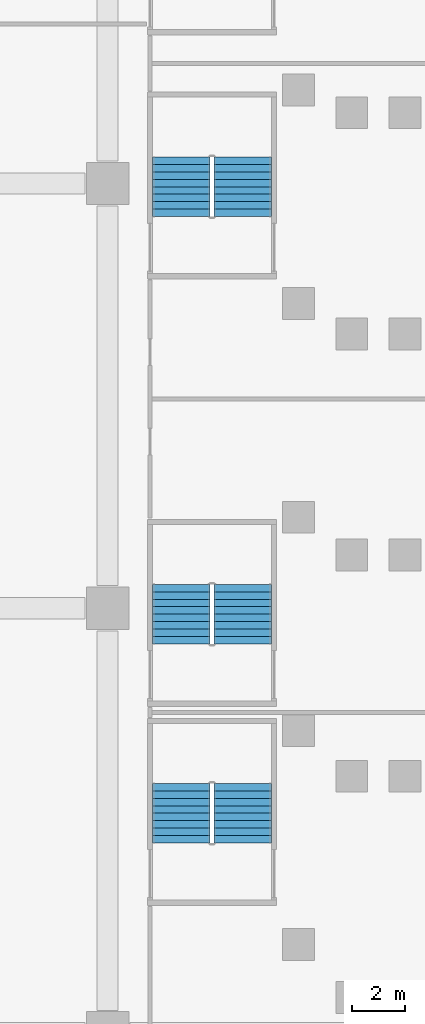
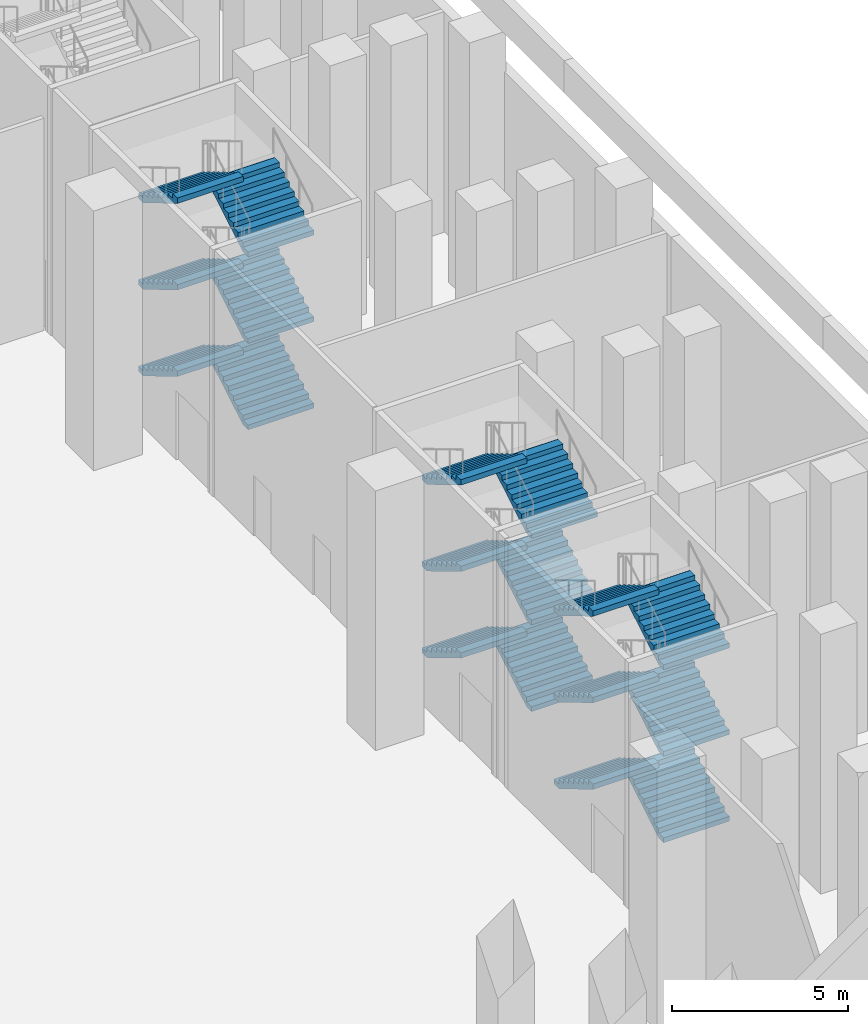
# One storey, part 15 of 25: 18 stair flights, 3 elements without a shape of their own.
"""IFC4 building model written with IfcOpenShell, lengths in metres."""

from ifc_helpers import new_model, si_unit, direction, frame, origin, place, context, subcontext, project, spatial, faceted_brep, source, transform, mapped, material, type_object, element, aggregate, save


model = new_model("IFC4")

# Units and contexts
model_context = context("Model", 3, precision=1e-05, world=origin(), true_north=direction((0.0, 1.0)))
body_context = subcontext(model_context, "Body", "Model", "MODEL_VIEW")
ifc_project = project(units=[si_unit("LENGTHUNIT", "METRE"), si_unit("AREAUNIT", "SQUARE_METRE"), si_unit("VOLUMEUNIT", "CUBIC_METRE"), si_unit("PLANEANGLEUNIT", "RADIAN"), si_unit("MASSUNIT", "GRAM", prefix="KILO")], contexts=[model_context])

# Site, building, storey
site_placement = place(None, origin())
site = spatial("IfcSite", under=ifc_project, at=site_placement, CompositionType="ELEMENT")
building_placement = place(site_placement, origin())
building = spatial("IfcBuilding", under=site, at=building_placement, Name="Calabash Gate Tower", CompositionType="ELEMENT")
storey_placement = place(building_placement, frame((0.0, 0.0, 20.0)))
storey = spatial("IfcBuildingStorey", under=building, at=storey_placement, Name="L02", CompositionType="ELEMENT", Elevation=20.0)

# Stair, stair flights
ifc_material_1 = material(Name="Concrete C40/50", Category="concrete")
stair_type = type_object("IfcStairType", Name="Public stair 54 risers of 166.7 mm", PredefinedType="HALF_TURN_STAIR", material=ifc_material_1)
stair_1_placement = place(storey_placement, origin())
stair_1 = element("IfcStair", 1, at=stair_1_placement, inside=storey, type_object=stair_type, Name="L02 Public Stair PS6", PredefinedType="HALF_TURN_STAIR")
ifc_material_2 = material(Name="Concrete C40/50", Category="concrete")
stair_flight_type = type_object("IfcStairFlightType", Name="Exit stair flight SFL", PredefinedType="STRAIGHT", material=ifc_material_2)
shared_shape = source(origin(), body_context, "Body", "Brep", [
    faceted_brep([(-0.0009765625, -1.080078125, 0.0), (0.292236328125, -1.080078125, 0.0), (2.23291015625, -1.080078125, 1.15869140625), (-0.0009765625, 1.080078125, 0.0), (2.23291015625, 1.080078125, 1.15869140625), (0.292236328125, 1.080078125, 0.0), (2.23291015625, -1.080078125, 1.34521484375), (2.23193359375, -1.080078125, 1.34521484375), (2.23193359375, 1.080078125, 1.34521484375), (2.23291015625, 1.080078125, 1.34521484375), (2.23193359375, -1.080078125, 1.333251953125), (2.23193359375, 1.080078125, 1.333251953125), (1.952880859375, -1.080078125, 1.333251953125), (1.952880859375, 1.080078125, 1.333251953125), (1.952880859375, -1.080078125, 1.166748046875), (1.952880859375, 1.080078125, 1.166748046875), (1.674072265625, -1.080078125, 1.166748046875), (1.674072265625, 1.080078125, 1.166748046875), (1.674072265625, -1.080078125, 1.0), (1.674072265625, 1.080078125, 1.0), (1.39501953125, -1.080078125, 1.0), (1.39501953125, -1.080078125, 0.833251953125), (1.39501953125, 1.080078125, 0.833251953125), (1.39501953125, 1.080078125, 1.0), (1.115966796875, -1.080078125, 0.833251953125), (1.115966796875, -1.080078125, 0.666748046875), (1.115966796875, 1.080078125, 0.666748046875), (1.115966796875, 1.080078125, 0.833251953125), (0.8369140625, -1.080078125, 0.666748046875), (0.8369140625, -1.080078125, 0.5), (0.8369140625, 1.080078125, 0.5), (0.8369140625, 1.080078125, 0.666748046875), (0.55810546875, -1.080078125, 0.5), (0.55810546875, -1.080078125, 0.333251953125), (0.55810546875, 1.080078125, 0.333251953125), (0.55810546875, 1.080078125, 0.5), (0.279052734375, -1.080078125, 0.333251953125), (0.279052734375, -1.080078125, 0.166748046875), (0.279052734375, 1.080078125, 0.166748046875), (0.279052734375, 1.080078125, 0.333251953125), (-0.0009765625, -1.080078125, 0.166748046875), (-0.0009765625, 1.080078125, 0.166748046875), (0.292236328125, -0.431884765625, 0.0), (2.23291015625, -0.431884765625, 1.15869140625), (0.292236328125, -0.345703125, 0.0), (2.23291015625, -0.345703125, 1.15869140625), (0.292236328125, -0.25927734375, 0.0), (2.23291015625, -0.25927734375, 1.15869140625), (0.292236328125, -0.1728515625, 0.0), (2.23291015625, -0.1728515625, 1.15869140625), (0.292236328125, -0.08642578125, 0.0), (2.23291015625, -0.08642578125, 1.15869140625), (0.292236328125, 0.0, 0.0), (2.23291015625, 0.0, 1.15869140625), (0.292236328125, 0.08642578125, 0.0), (2.23291015625, 0.08642578125, 1.15869140625), (0.292236328125, 0.1728515625, 0.0), (2.23291015625, 0.1728515625, 1.15869140625), (0.292236328125, 0.25927734375, 0.0), (2.23291015625, 0.25927734375, 1.15869140625), (0.292236328125, 0.345703125, 0.0), (2.23291015625, 0.345703125, 1.15869140625), (0.292236328125, 0.431884765625, 0.0), (2.23291015625, 0.431884765625, 1.15869140625), (2.23291015625, -0.431884765625, 1.34521484375), (2.23291015625, -0.345703125, 1.34521484375), (2.23291015625, -0.25927734375, 1.34521484375), (2.23291015625, -0.1728515625, 1.34521484375), (2.23291015625, -0.08642578125, 1.34521484375), (2.23291015625, 0.0, 1.34521484375), (2.23291015625, 0.08642578125, 1.34521484375), (2.23291015625, 0.1728515625, 1.34521484375), (2.23291015625, 0.25927734375, 1.34521484375), (2.23291015625, 0.345703125, 1.34521484375), (2.23291015625, 0.431884765625, 1.34521484375), (2.23193359375, -0.431884765625, 1.34521484375), (2.23193359375, -0.345703125, 1.34521484375), (2.23193359375, -0.25927734375, 1.34521484375), (2.23193359375, -0.1728515625, 1.34521484375), (2.23193359375, -0.08642578125, 1.34521484375), (2.23193359375, 0.0, 1.34521484375), (2.23193359375, 0.08642578125, 1.34521484375), (2.23193359375, 0.1728515625, 1.34521484375), (2.23193359375, 0.25927734375, 1.34521484375), (2.23193359375, 0.345703125, 1.34521484375), (2.23193359375, 0.431884765625, 1.34521484375), (2.23193359375, -0.431884765625, 1.333251953125), (2.23193359375, -0.345703125, 1.333251953125), (2.23193359375, -0.25927734375, 1.333251953125), (2.23193359375, -0.1728515625, 1.333251953125), (2.23193359375, -0.08642578125, 1.333251953125), (2.23193359375, 0.0, 1.333251953125), (2.23193359375, 0.08642578125, 1.333251953125), (2.23193359375, 0.1728515625, 1.333251953125), (2.23193359375, 0.25927734375, 1.333251953125), (2.23193359375, 0.345703125, 1.333251953125), (2.23193359375, 0.431884765625, 1.333251953125), (1.952880859375, -0.431884765625, 1.333251953125), (1.952880859375, -0.345703125, 1.333251953125), (1.952880859375, -0.25927734375, 1.333251953125), (1.952880859375, -0.1728515625, 1.333251953125), (1.952880859375, -0.08642578125, 1.333251953125), (1.952880859375, 0.0, 1.333251953125), (1.952880859375, 0.08642578125, 1.333251953125), (1.952880859375, 0.1728515625, 1.333251953125), (1.952880859375, 0.25927734375, 1.333251953125), (1.952880859375, 0.345703125, 1.333251953125), (1.952880859375, 0.431884765625, 1.333251953125), (1.952880859375, -0.431884765625, 1.166748046875), (1.952880859375, -0.345703125, 1.166748046875), (1.952880859375, -0.25927734375, 1.166748046875), (1.952880859375, -0.1728515625, 1.166748046875), (1.952880859375, -0.08642578125, 1.166748046875), (1.952880859375, 0.0, 1.166748046875), (1.952880859375, 0.08642578125, 1.166748046875), (1.952880859375, 0.1728515625, 1.166748046875), (1.952880859375, 0.25927734375, 1.166748046875), (1.952880859375, 0.345703125, 1.166748046875), (1.952880859375, 0.431884765625, 1.166748046875), (1.674072265625, -0.431884765625, 1.166748046875), (1.674072265625, -0.345703125, 1.166748046875), (1.674072265625, -0.25927734375, 1.166748046875), (1.674072265625, -0.1728515625, 1.166748046875), (1.674072265625, -0.08642578125, 1.166748046875), (1.674072265625, 0.0, 1.166748046875), (1.674072265625, 0.08642578125, 1.166748046875), (1.674072265625, 0.1728515625, 1.166748046875), (1.674072265625, 0.25927734375, 1.166748046875), (1.674072265625, 0.345703125, 1.166748046875), (1.674072265625, 0.431884765625, 1.166748046875), (1.674072265625, -0.431884765625, 1.0), (1.674072265625, -0.345703125, 1.0), (1.674072265625, -0.25927734375, 1.0), (1.674072265625, -0.1728515625, 1.0), (1.674072265625, -0.08642578125, 1.0), (1.674072265625, 0.0, 1.0), (1.674072265625, 0.08642578125, 1.0), (1.674072265625, 0.1728515625, 1.0), (1.674072265625, 0.25927734375, 1.0), (1.674072265625, 0.345703125, 1.0), (1.674072265625, 0.431884765625, 1.0), (1.39501953125, -0.431884765625, 1.0), (1.39501953125, -0.345703125, 1.0), (1.39501953125, -0.25927734375, 1.0), (1.39501953125, -0.1728515625, 1.0), (1.39501953125, -0.08642578125, 1.0), (1.39501953125, 0.0, 1.0), (1.39501953125, 0.08642578125, 1.0), (1.39501953125, 0.1728515625, 1.0), (1.39501953125, 0.25927734375, 1.0), (1.39501953125, 0.345703125, 1.0), (1.39501953125, 0.431884765625, 1.0), (1.39501953125, -0.431884765625, 0.833251953125), (1.39501953125, -0.345703125, 0.833251953125), (1.39501953125, -0.25927734375, 0.833251953125), (1.39501953125, -0.1728515625, 0.833251953125), (1.39501953125, -0.08642578125, 0.833251953125), (1.39501953125, 0.0, 0.833251953125), (1.39501953125, 0.08642578125, 0.833251953125), (1.39501953125, 0.1728515625, 0.833251953125), (1.39501953125, 0.25927734375, 0.833251953125), (1.39501953125, 0.345703125, 0.833251953125), (1.39501953125, 0.431884765625, 0.833251953125), (1.115966796875, -0.431884765625, 0.833251953125), (1.115966796875, -0.345703125, 0.833251953125), (1.115966796875, -0.25927734375, 0.833251953125), (1.115966796875, -0.1728515625, 0.833251953125), (1.115966796875, -0.08642578125, 0.833251953125), (1.115966796875, 0.0, 0.833251953125), (1.115966796875, 0.08642578125, 0.833251953125), (1.115966796875, 0.1728515625, 0.833251953125), (1.115966796875, 0.25927734375, 0.833251953125), (1.115966796875, 0.345703125, 0.833251953125), (1.115966796875, 0.431884765625, 0.833251953125), (1.115966796875, -0.431884765625, 0.666748046875), (1.115966796875, -0.345703125, 0.666748046875), (1.115966796875, -0.25927734375, 0.666748046875), (1.115966796875, -0.1728515625, 0.666748046875), (1.115966796875, -0.08642578125, 0.666748046875), (1.115966796875, 0.0, 0.666748046875), (1.115966796875, 0.08642578125, 0.666748046875), (1.115966796875, 0.1728515625, 0.666748046875), (1.115966796875, 0.25927734375, 0.666748046875), (1.115966796875, 0.345703125, 0.666748046875), (1.115966796875, 0.431884765625, 0.666748046875), (0.8369140625, -0.431884765625, 0.666748046875), (0.8369140625, -0.345703125, 0.666748046875), (0.8369140625, -0.25927734375, 0.666748046875), (0.8369140625, -0.1728515625, 0.666748046875), (0.8369140625, -0.08642578125, 0.666748046875), (0.8369140625, 0.0, 0.666748046875), (0.8369140625, 0.08642578125, 0.666748046875), (0.8369140625, 0.1728515625, 0.666748046875), (0.8369140625, 0.25927734375, 0.666748046875), (0.8369140625, 0.345703125, 0.666748046875), (0.8369140625, 0.431884765625, 0.666748046875), (0.8369140625, -0.431884765625, 0.5), (0.8369140625, -0.345703125, 0.5), (0.8369140625, -0.25927734375, 0.5), (0.8369140625, -0.1728515625, 0.5), (0.8369140625, -0.08642578125, 0.5), (0.8369140625, 0.0, 0.5), (0.8369140625, 0.08642578125, 0.5), (0.8369140625, 0.1728515625, 0.5), (0.8369140625, 0.25927734375, 0.5), (0.8369140625, 0.345703125, 0.5), (0.8369140625, 0.431884765625, 0.5), (0.55810546875, -0.431884765625, 0.5), (0.55810546875, -0.345703125, 0.5), (0.55810546875, -0.25927734375, 0.5), (0.55810546875, -0.1728515625, 0.5), (0.55810546875, -0.08642578125, 0.5), (0.55810546875, 0.0, 0.5), (0.55810546875, 0.08642578125, 0.5), (0.55810546875, 0.1728515625, 0.5), (0.55810546875, 0.25927734375, 0.5), (0.55810546875, 0.345703125, 0.5), (0.55810546875, 0.431884765625, 0.5), (0.55810546875, -0.431884765625, 0.333251953125), (0.55810546875, -0.345703125, 0.333251953125), (0.55810546875, -0.25927734375, 0.333251953125), (0.55810546875, -0.1728515625, 0.333251953125), (0.55810546875, -0.08642578125, 0.333251953125), (0.55810546875, 0.0, 0.333251953125), (0.55810546875, 0.08642578125, 0.333251953125), (0.55810546875, 0.1728515625, 0.333251953125), (0.55810546875, 0.25927734375, 0.333251953125), (0.55810546875, 0.345703125, 0.333251953125), (0.55810546875, 0.431884765625, 0.333251953125), (0.279052734375, -0.431884765625, 0.333251953125), (0.279052734375, -0.345703125, 0.333251953125), (0.279052734375, -0.25927734375, 0.333251953125), (0.279052734375, -0.1728515625, 0.333251953125), (0.279052734375, -0.08642578125, 0.333251953125), (0.279052734375, 0.0, 0.333251953125), (0.279052734375, 0.08642578125, 0.333251953125), (0.279052734375, 0.1728515625, 0.333251953125), (0.279052734375, 0.25927734375, 0.333251953125), (0.279052734375, 0.345703125, 0.333251953125), (0.279052734375, 0.431884765625, 0.333251953125), (0.279052734375, -0.431884765625, 0.166748046875), (0.279052734375, -0.345703125, 0.166748046875), (0.279052734375, -0.25927734375, 0.166748046875), (0.279052734375, -0.1728515625, 0.166748046875), (0.279052734375, -0.08642578125, 0.166748046875), (0.279052734375, 0.0, 0.166748046875), (0.279052734375, 0.08642578125, 0.166748046875), (0.279052734375, 0.1728515625, 0.166748046875), (0.279052734375, 0.25927734375, 0.166748046875), (0.279052734375, 0.345703125, 0.166748046875), (0.279052734375, 0.431884765625, 0.166748046875), (-0.0009765625, -0.431884765625, 0.166748046875), (-0.0009765625, -0.345703125, 0.166748046875), (-0.0009765625, -0.25927734375, 0.166748046875), (-0.0009765625, -0.1728515625, 0.166748046875), (-0.0009765625, -0.08642578125, 0.166748046875), (-0.0009765625, 0.0, 0.166748046875), (-0.0009765625, 0.08642578125, 0.166748046875), (-0.0009765625, 0.1728515625, 0.166748046875), (-0.0009765625, 0.25927734375, 0.166748046875), (-0.0009765625, 0.345703125, 0.166748046875), (-0.0009765625, 0.431884765625, 0.166748046875), (-0.0009765625, -0.431884765625, 0.0), (-0.0009765625, -0.345703125, 0.0), (-0.0009765625, -0.25927734375, 0.0), (-0.0009765625, -0.1728515625, 0.0), (-0.0009765625, -0.08642578125, 0.0), (-0.0009765625, 0.0, 0.0), (-0.0009765625, 0.08642578125, 0.0), (-0.0009765625, 0.1728515625, 0.0), (-0.0009765625, 0.25927734375, 0.0), (-0.0009765625, 0.345703125, 0.0), (-0.0009765625, 0.431884765625, 0.0)], [[[0, 1, 2]], [[3, 4, 5]], [[2, 6, 7]], [[4, 8, 9]], [[2, 7, 10]], [[4, 11, 8]], [[2, 10, 12]], [[4, 13, 11]], [[2, 12, 14]], [[4, 15, 13]], [[2, 14, 16]], [[4, 17, 15]], [[2, 16, 18]], [[4, 19, 17]], [[18, 20, 21]], [[19, 22, 23]], [[2, 18, 21]], [[4, 22, 19]], [[21, 24, 25]], [[22, 26, 27]], [[2, 21, 25]], [[4, 26, 22]], [[25, 28, 29]], [[26, 30, 31]], [[2, 25, 29]], [[4, 30, 26]], [[29, 32, 33]], [[30, 34, 35]], [[2, 29, 33]], [[4, 34, 30]], [[33, 36, 37]], [[34, 38, 39]], [[2, 33, 37]], [[4, 38, 34]], [[0, 2, 37]], [[3, 38, 4]], [[37, 40, 0]], [[38, 3, 41]], [[1, 42, 2]], [[42, 43, 2]], [[42, 44, 43]], [[44, 45, 43]], [[44, 46, 45]], [[46, 47, 45]], [[46, 48, 47]], [[48, 49, 47]], [[48, 50, 49]], [[50, 51, 49]], [[50, 52, 51]], [[52, 53, 51]], [[52, 54, 55]], [[52, 55, 53]], [[54, 56, 57]], [[54, 57, 55]], [[56, 58, 59]], [[56, 59, 57]], [[58, 60, 61]], [[58, 61, 59]], [[60, 62, 63]], [[60, 63, 61]], [[62, 5, 4]], [[62, 4, 63]], [[2, 43, 6]], [[43, 64, 6]], [[43, 45, 64]], [[45, 65, 64]], [[45, 47, 65]], [[47, 66, 65]], [[47, 49, 66]], [[49, 67, 66]], [[49, 51, 67]], [[51, 68, 67]], [[51, 53, 68]], [[53, 69, 68]], [[53, 55, 70]], [[53, 70, 69]], [[55, 57, 71]], [[55, 71, 70]], [[57, 59, 72]], [[57, 72, 71]], [[59, 61, 73]], [[59, 73, 72]], [[61, 63, 74]], [[61, 74, 73]], [[63, 4, 9]], [[63, 9, 74]], [[6, 64, 7]], [[64, 75, 7]], [[64, 65, 75]], [[65, 76, 75]], [[65, 66, 76]], [[66, 77, 76]], [[66, 67, 77]], [[67, 78, 77]], [[67, 68, 78]], [[68, 79, 78]], [[68, 69, 79]], [[69, 80, 79]], [[69, 70, 81]], [[69, 81, 80]], [[70, 71, 82]], [[70, 82, 81]], [[71, 72, 83]], [[71, 83, 82]], [[72, 73, 84]], [[72, 84, 83]], [[73, 74, 85]], [[73, 85, 84]], [[74, 9, 8]], [[74, 8, 85]], [[7, 75, 10]], [[75, 86, 10]], [[75, 76, 86]], [[76, 87, 86]], [[76, 77, 87]], [[77, 88, 87]], [[77, 78, 88]], [[78, 89, 88]], [[78, 79, 89]], [[79, 90, 89]], [[79, 80, 90]], [[80, 91, 90]], [[80, 81, 92]], [[80, 92, 91]], [[81, 82, 93]], [[81, 93, 92]], [[82, 83, 94]], [[82, 94, 93]], [[83, 84, 95]], [[83, 95, 94]], [[84, 85, 96]], [[84, 96, 95]], [[85, 8, 11]], [[85, 11, 96]], [[10, 86, 12]], [[86, 97, 12]], [[86, 87, 97]], [[87, 98, 97]], [[87, 88, 98]], [[88, 99, 98]], [[88, 89, 99]], [[89, 100, 99]], [[89, 90, 100]], [[90, 101, 100]], [[90, 91, 101]], [[91, 102, 101]], [[91, 92, 103]], [[91, 103, 102]], [[92, 93, 104]], [[92, 104, 103]], [[93, 94, 105]], [[93, 105, 104]], [[94, 95, 106]], [[94, 106, 105]], [[95, 96, 107]], [[95, 107, 106]], [[96, 11, 13]], [[96, 13, 107]], [[12, 97, 14]], [[97, 108, 14]], [[97, 98, 108]], [[98, 109, 108]], [[98, 99, 109]], [[99, 110, 109]], [[99, 100, 110]], [[100, 111, 110]], [[100, 101, 111]], [[101, 112, 111]], [[101, 102, 112]], [[102, 113, 112]], [[102, 103, 114]], [[102, 114, 113]], [[103, 104, 115]], [[103, 115, 114]], [[104, 105, 116]], [[104, 116, 115]], [[105, 106, 117]], [[105, 117, 116]], [[106, 107, 118]], [[106, 118, 117]], [[107, 13, 15]], [[107, 15, 118]], [[14, 108, 16]], [[108, 119, 16]], [[108, 109, 119]], [[109, 120, 119]], [[109, 110, 120]], [[110, 121, 120]], [[110, 111, 121]], [[111, 122, 121]], [[111, 112, 122]], [[112, 123, 122]], [[112, 113, 123]], [[113, 124, 123]], [[113, 114, 125]], [[113, 125, 124]], [[114, 115, 126]], [[114, 126, 125]], [[115, 116, 127]], [[115, 127, 126]], [[116, 117, 128]], [[116, 128, 127]], [[117, 118, 129]], [[117, 129, 128]], [[118, 15, 17]], [[118, 17, 129]], [[16, 119, 18]], [[119, 130, 18]], [[119, 120, 130]], [[120, 131, 130]], [[120, 121, 131]], [[121, 132, 131]], [[121, 122, 132]], [[122, 133, 132]], [[122, 123, 133]], [[123, 134, 133]], [[123, 124, 134]], [[124, 135, 134]], [[124, 125, 136]], [[124, 136, 135]], [[125, 126, 137]], [[125, 137, 136]], [[126, 127, 138]], [[126, 138, 137]], [[127, 128, 139]], [[127, 139, 138]], [[128, 129, 140]], [[128, 140, 139]], [[129, 17, 19]], [[129, 19, 140]], [[18, 130, 20]], [[130, 141, 20]], [[130, 131, 141]], [[131, 142, 141]], [[131, 132, 142]], [[132, 143, 142]], [[132, 133, 143]], [[133, 144, 143]], [[133, 134, 144]], [[134, 145, 144]], [[134, 135, 145]], [[135, 146, 145]], [[135, 136, 147]], [[135, 147, 146]], [[136, 137, 148]], [[136, 148, 147]], [[137, 138, 149]], [[137, 149, 148]], [[138, 139, 150]], [[138, 150, 149]], [[139, 140, 151]], [[139, 151, 150]], [[140, 19, 23]], [[140, 23, 151]], [[20, 141, 21]], [[141, 152, 21]], [[141, 142, 152]], [[142, 153, 152]], [[142, 143, 153]], [[143, 154, 153]], [[143, 144, 154]], [[144, 155, 154]], [[144, 145, 155]], [[145, 156, 155]], [[145, 146, 156]], [[146, 157, 156]], [[146, 147, 158]], [[146, 158, 157]], [[147, 148, 159]], [[147, 159, 158]], [[148, 149, 160]], [[148, 160, 159]], [[149, 150, 161]], [[149, 161, 160]], [[150, 151, 162]], [[150, 162, 161]], [[151, 23, 22]], [[151, 22, 162]], [[21, 152, 24]], [[152, 163, 24]], [[152, 153, 163]], [[153, 164, 163]], [[153, 154, 164]], [[154, 165, 164]], [[154, 155, 165]], [[155, 166, 165]], [[155, 156, 166]], [[156, 167, 166]], [[156, 157, 167]], [[157, 168, 167]], [[157, 158, 169]], [[157, 169, 168]], [[158, 159, 170]], [[158, 170, 169]], [[159, 160, 171]], [[159, 171, 170]], [[160, 161, 172]], [[160, 172, 171]], [[161, 162, 173]], [[161, 173, 172]], [[162, 22, 27]], [[162, 27, 173]], [[24, 163, 25]], [[163, 174, 25]], [[163, 164, 174]], [[164, 175, 174]], [[164, 165, 175]], [[165, 176, 175]], [[165, 166, 176]], [[166, 177, 176]], [[166, 167, 177]], [[167, 178, 177]], [[167, 168, 178]], [[168, 179, 178]], [[168, 169, 180]], [[168, 180, 179]], [[169, 170, 181]], [[169, 181, 180]], [[170, 171, 182]], [[170, 182, 181]], [[171, 172, 183]], [[171, 183, 182]], [[172, 173, 184]], [[172, 184, 183]], [[173, 27, 26]], [[173, 26, 184]], [[25, 174, 28]], [[174, 185, 28]], [[174, 175, 185]], [[175, 186, 185]], [[175, 176, 186]], [[176, 187, 186]], [[176, 177, 187]], [[177, 188, 187]], [[177, 178, 188]], [[178, 189, 188]], [[178, 179, 189]], [[179, 190, 189]], [[179, 180, 191]], [[179, 191, 190]], [[180, 181, 192]], [[180, 192, 191]], [[181, 182, 193]], [[181, 193, 192]], [[182, 183, 194]], [[182, 194, 193]], [[183, 184, 195]], [[183, 195, 194]], [[184, 26, 31]], [[184, 31, 195]], [[28, 185, 29]], [[185, 196, 29]], [[185, 186, 196]], [[186, 197, 196]], [[186, 187, 197]], [[187, 198, 197]], [[187, 188, 198]], [[188, 199, 198]], [[188, 189, 199]], [[189, 200, 199]], [[189, 190, 200]], [[190, 201, 200]], [[190, 191, 202]], [[190, 202, 201]], [[191, 192, 203]], [[191, 203, 202]], [[192, 193, 204]], [[192, 204, 203]], [[193, 194, 205]], [[193, 205, 204]], [[194, 195, 206]], [[194, 206, 205]], [[195, 31, 30]], [[195, 30, 206]], [[29, 196, 32]], [[196, 207, 32]], [[196, 197, 207]], [[197, 208, 207]], [[197, 198, 208]], [[198, 209, 208]], [[198, 199, 209]], [[199, 210, 209]], [[199, 200, 210]], [[200, 211, 210]], [[200, 201, 211]], [[201, 212, 211]], [[201, 202, 213]], [[201, 213, 212]], [[202, 203, 214]], [[202, 214, 213]], [[203, 204, 215]], [[203, 215, 214]], [[204, 205, 216]], [[204, 216, 215]], [[205, 206, 217]], [[205, 217, 216]], [[206, 30, 35]], [[206, 35, 217]], [[32, 207, 33]], [[207, 218, 33]], [[207, 208, 218]], [[208, 219, 218]], [[208, 209, 219]], [[209, 220, 219]], [[209, 210, 220]], [[210, 221, 220]], [[210, 211, 221]], [[211, 222, 221]], [[211, 212, 222]], [[212, 223, 222]], [[212, 213, 224]], [[212, 224, 223]], [[213, 214, 225]], [[213, 225, 224]], [[214, 215, 226]], [[214, 226, 225]], [[215, 216, 227]], [[215, 227, 226]], [[216, 217, 228]], [[216, 228, 227]], [[217, 35, 34]], [[217, 34, 228]], [[33, 218, 36]], [[218, 229, 36]], [[218, 219, 229]], [[219, 230, 229]], [[219, 220, 230]], [[220, 231, 230]], [[220, 221, 231]], [[221, 232, 231]], [[221, 222, 232]], [[222, 233, 232]], [[222, 223, 233]], [[223, 234, 233]], [[223, 224, 235]], [[223, 235, 234]], [[224, 225, 236]], [[224, 236, 235]], [[225, 226, 237]], [[225, 237, 236]], [[226, 227, 238]], [[226, 238, 237]], [[227, 228, 239]], [[227, 239, 238]], [[228, 34, 39]], [[228, 39, 239]], [[36, 229, 37]], [[229, 240, 37]], [[229, 230, 240]], [[230, 241, 240]], [[230, 231, 241]], [[231, 242, 241]], [[231, 232, 242]], [[232, 243, 242]], [[232, 233, 243]], [[233, 244, 243]], [[233, 234, 244]], [[234, 245, 244]], [[234, 235, 246]], [[234, 246, 245]], [[235, 236, 247]], [[235, 247, 246]], [[236, 237, 248]], [[236, 248, 247]], [[237, 238, 249]], [[237, 249, 248]], [[238, 239, 250]], [[238, 250, 249]], [[239, 39, 38]], [[239, 38, 250]], [[37, 240, 40]], [[240, 251, 40]], [[240, 241, 251]], [[241, 252, 251]], [[241, 242, 252]], [[242, 253, 252]], [[242, 243, 253]], [[243, 254, 253]], [[243, 244, 254]], [[244, 255, 254]], [[244, 245, 255]], [[245, 256, 255]], [[245, 246, 257]], [[245, 257, 256]], [[246, 247, 258]], [[246, 258, 257]], [[247, 248, 259]], [[247, 259, 258]], [[248, 249, 260]], [[248, 260, 259]], [[249, 250, 261]], [[249, 261, 260]], [[250, 38, 41]], [[250, 41, 261]], [[40, 251, 0]], [[251, 262, 0]], [[251, 252, 262]], [[252, 263, 262]], [[252, 253, 263]], [[253, 264, 263]], [[253, 254, 264]], [[254, 265, 264]], [[254, 255, 265]], [[255, 266, 265]], [[255, 256, 266]], [[256, 267, 266]], [[256, 257, 268]], [[256, 268, 267]], [[257, 258, 269]], [[257, 269, 268]], [[258, 259, 270]], [[258, 270, 269]], [[259, 260, 271]], [[259, 271, 270]], [[260, 261, 272]], [[260, 272, 271]], [[261, 41, 3]], [[261, 3, 272]], [[0, 262, 1]], [[262, 42, 1]], [[262, 263, 42]], [[263, 44, 42]], [[263, 264, 44]], [[264, 46, 44]], [[264, 265, 46]], [[265, 48, 46]], [[265, 266, 48]], [[266, 50, 48]], [[266, 267, 50]], [[267, 52, 50]], [[267, 268, 54]], [[267, 54, 52]], [[268, 269, 56]], [[268, 56, 54]], [[269, 270, 58]], [[269, 58, 56]], [[270, 271, 60]], [[270, 60, 58]], [[271, 272, 62]], [[271, 62, 60]], [[272, 3, 5]], [[272, 5, 62]]]),
])
stair_flight_1_placement = place(storey_placement, frame((37.090087890625, -32.840087890625, 0.0), z_axis=(0.0, 0.0, 1.0), x_axis=(0.0, 1.0, 0.0)))
stair_flight_1 = element("IfcStairFlight", 2, at=stair_flight_1_placement, type_object=stair_flight_type, Name="PS6 flight 1", NumberOfRisers=9, NumberOfTreads=8, PredefinedType="STRAIGHT", RiserHeight=0.166666667, TreadLength=0.279, context=body_context, shape_type="MappedRepresentation", body=[
    mapped(shared_shape, transform((0.0, 0.0, 0.0), scale=1.0)),
])
stair_flight_2_placement = place(storey_placement, frame((34.780029296875, -30.60791015625, 1.5), z_axis=(0.0, 0.0, 1.0), x_axis=(0.0, -1.0, 0.0)))
stair_flight_2 = element("IfcStairFlight", 3, at=stair_flight_2_placement, type_object=stair_flight_type, Name="PS6 flight 2", NumberOfRisers=9, NumberOfTreads=8, PredefinedType="STRAIGHT", RiserHeight=0.166666667, TreadLength=0.279, context=body_context, shape_type="MappedRepresentation", body=[
    mapped(shared_shape, transform((0.0, 0.0, 0.0), scale=1.0)),
])
stair_flight_3_placement = place(storey_placement, frame((37.090087890625, -32.840087890625, 3.0), z_axis=(0.0, 0.0, 1.0), x_axis=(0.0, 1.0, 0.0)))
stair_flight_3 = element("IfcStairFlight", 4, at=stair_flight_3_placement, type_object=stair_flight_type, Name="PS6 flight 3", NumberOfRisers=9, NumberOfTreads=8, PredefinedType="STRAIGHT", RiserHeight=0.166666667, TreadLength=0.279, context=body_context, shape_type="MappedRepresentation", body=[
    mapped(shared_shape, transform((0.0, 0.0, 0.0), scale=1.0)),
])
stair_flight_4_placement = place(storey_placement, frame((34.780029296875, -30.60791015625, 4.5), z_axis=(0.0, 0.0, 1.0), x_axis=(0.0, -1.0, 0.0)))
stair_flight_4 = element("IfcStairFlight", 5, at=stair_flight_4_placement, type_object=stair_flight_type, Name="PS6 flight 4", NumberOfRisers=9, NumberOfTreads=8, PredefinedType="STRAIGHT", RiserHeight=0.166666667, TreadLength=0.279, context=body_context, shape_type="MappedRepresentation", body=[
    mapped(shared_shape, transform((0.0, 0.0, 0.0), scale=1.0)),
])
stair_flight_5_placement = place(storey_placement, frame((37.090087890625, -32.840087890625, 6.0), z_axis=(0.0, 0.0, 1.0), x_axis=(0.0, 1.0, 0.0)))
stair_flight_5 = element("IfcStairFlight", 6, at=stair_flight_5_placement, type_object=stair_flight_type, Name="PS6 flight 5", NumberOfRisers=9, NumberOfTreads=8, PredefinedType="STRAIGHT", RiserHeight=0.166666667, TreadLength=0.279, context=body_context, shape_type="MappedRepresentation", body=[
    mapped(shared_shape, transform((0.0, 0.0, 0.0), scale=1.0)),
])
stair_flight_6_placement = place(storey_placement, frame((34.780029296875, -30.60791015625, 7.5), z_axis=(0.0, 0.0, 1.0), x_axis=(0.0, -1.0, 0.0)))
stair_flight_6 = element("IfcStairFlight", 7, at=stair_flight_6_placement, type_object=stair_flight_type, Name="PS6 flight 6", NumberOfRisers=9, NumberOfTreads=8, PredefinedType="STRAIGHT", RiserHeight=0.166666667, TreadLength=0.279, context=body_context, shape_type="MappedRepresentation", body=[
    mapped(shared_shape, transform((0.0, 0.0, 0.0), scale=1.0)),
])
aggregate(stair_1, [stair_flight_1, stair_flight_2, stair_flight_3, stair_flight_4, stair_flight_5, stair_flight_6])

stair_2_placement = place(storey_placement, origin())
stair_2 = element("IfcStair", 8, at=stair_2_placement, inside=storey, type_object=stair_type, Name="L02 Public Stair PS7", PredefinedType="HALF_TURN_STAIR")
stair_flight_7_placement = place(storey_placement, frame((37.090087890625, -25.340087890625, 0.0), z_axis=(0.0, 0.0, 1.0), x_axis=(0.0, 1.0, 0.0)))
stair_flight_7 = element("IfcStairFlight", 9, at=stair_flight_7_placement, type_object=stair_flight_type, Name="PS7 flight 1", NumberOfRisers=9, NumberOfTreads=8, PredefinedType="STRAIGHT", RiserHeight=0.166666667, TreadLength=0.279, context=body_context, shape_type="MappedRepresentation", body=[
    mapped(shared_shape, transform((0.0, 0.0, 0.0), scale=1.0)),
])
stair_flight_8_placement = place(storey_placement, frame((34.780029296875, -23.10791015625, 1.5), z_axis=(0.0, 0.0, 1.0), x_axis=(0.0, -1.0, 0.0)))
stair_flight_8 = element("IfcStairFlight", 10, at=stair_flight_8_placement, type_object=stair_flight_type, Name="PS7 flight 2", NumberOfRisers=9, NumberOfTreads=8, PredefinedType="STRAIGHT", RiserHeight=0.166666667, TreadLength=0.279, context=body_context, shape_type="MappedRepresentation", body=[
    mapped(shared_shape, transform((0.0, 0.0, 0.0), scale=1.0)),
])
stair_flight_9_placement = place(storey_placement, frame((37.090087890625, -25.340087890625, 3.0), z_axis=(0.0, 0.0, 1.0), x_axis=(0.0, 1.0, 0.0)))
stair_flight_9 = element("IfcStairFlight", 11, at=stair_flight_9_placement, type_object=stair_flight_type, Name="PS7 flight 3", NumberOfRisers=9, NumberOfTreads=8, PredefinedType="STRAIGHT", RiserHeight=0.166666667, TreadLength=0.279, context=body_context, shape_type="MappedRepresentation", body=[
    mapped(shared_shape, transform((0.0, 0.0, 0.0), scale=1.0)),
])
stair_flight_10_placement = place(storey_placement, frame((34.780029296875, -23.10791015625, 4.5), z_axis=(0.0, 0.0, 1.0), x_axis=(0.0, -1.0, 0.0)))
stair_flight_10 = element("IfcStairFlight", 12, at=stair_flight_10_placement, type_object=stair_flight_type, Name="PS7 flight 4", NumberOfRisers=9, NumberOfTreads=8, PredefinedType="STRAIGHT", RiserHeight=0.166666667, TreadLength=0.279, context=body_context, shape_type="MappedRepresentation", body=[
    mapped(shared_shape, transform((0.0, 0.0, 0.0), scale=1.0)),
])
stair_flight_11_placement = place(storey_placement, frame((37.090087890625, -25.340087890625, 6.0), z_axis=(0.0, 0.0, 1.0), x_axis=(0.0, 1.0, 0.0)))
stair_flight_11 = element("IfcStairFlight", 13, at=stair_flight_11_placement, type_object=stair_flight_type, Name="PS7 flight 5", NumberOfRisers=9, NumberOfTreads=8, PredefinedType="STRAIGHT", RiserHeight=0.166666667, TreadLength=0.279, context=body_context, shape_type="MappedRepresentation", body=[
    mapped(shared_shape, transform((0.0, 0.0, 0.0), scale=1.0)),
])
stair_flight_12_placement = place(storey_placement, frame((34.780029296875, -23.10791015625, 7.5), z_axis=(0.0, 0.0, 1.0), x_axis=(0.0, -1.0, 0.0)))
stair_flight_12 = element("IfcStairFlight", 14, at=stair_flight_12_placement, type_object=stair_flight_type, Name="PS7 flight 6", NumberOfRisers=9, NumberOfTreads=8, PredefinedType="STRAIGHT", RiserHeight=0.166666667, TreadLength=0.279, context=body_context, shape_type="MappedRepresentation", body=[
    mapped(shared_shape, transform((0.0, 0.0, 0.0), scale=1.0)),
])
aggregate(stair_2, [stair_flight_7, stair_flight_8, stair_flight_9, stair_flight_10, stair_flight_11, stair_flight_12])

stair_3_placement = place(storey_placement, origin())
stair_3 = element("IfcStair", 15, at=stair_3_placement, inside=storey, type_object=stair_type, Name="L02 Public Stair PS8", PredefinedType="HALF_TURN_STAIR")
stair_flight_13_placement = place(storey_placement, frame((37.090087890625, -9.239990234375, 0.0), z_axis=(0.0, 0.0, 1.0), x_axis=(0.0, 1.0, 0.0)))
stair_flight_13 = element("IfcStairFlight", 16, at=stair_flight_13_placement, type_object=stair_flight_type, Name="PS8 flight 1", NumberOfRisers=9, NumberOfTreads=8, PredefinedType="STRAIGHT", RiserHeight=0.166666667, TreadLength=0.279, context=body_context, shape_type="MappedRepresentation", body=[
    mapped(shared_shape, transform((0.0, 0.0, 0.0), scale=1.0)),
])
stair_flight_14_placement = place(storey_placement, frame((34.780029296875, -7.008056640625, 1.5), z_axis=(0.0, 0.0, 1.0), x_axis=(0.0, -1.0, 0.0)))
stair_flight_14 = element("IfcStairFlight", 17, at=stair_flight_14_placement, type_object=stair_flight_type, Name="PS8 flight 2", NumberOfRisers=9, NumberOfTreads=8, PredefinedType="STRAIGHT", RiserHeight=0.166666667, TreadLength=0.279, context=body_context, shape_type="MappedRepresentation", body=[
    mapped(shared_shape, transform((0.0, 0.0, 0.0), scale=1.0)),
])
stair_flight_15_placement = place(storey_placement, frame((37.090087890625, -9.239990234375, 3.0), z_axis=(0.0, 0.0, 1.0), x_axis=(0.0, 1.0, 0.0)))
stair_flight_15 = element("IfcStairFlight", 18, at=stair_flight_15_placement, type_object=stair_flight_type, Name="PS8 flight 3", NumberOfRisers=9, NumberOfTreads=8, PredefinedType="STRAIGHT", RiserHeight=0.166666667, TreadLength=0.279, context=body_context, shape_type="MappedRepresentation", body=[
    mapped(shared_shape, transform((0.0, 0.0, 0.0), scale=1.0)),
])
stair_flight_16_placement = place(storey_placement, frame((34.780029296875, -7.008056640625, 4.5), z_axis=(0.0, 0.0, 1.0), x_axis=(0.0, -1.0, 0.0)))
stair_flight_16 = element("IfcStairFlight", 19, at=stair_flight_16_placement, type_object=stair_flight_type, Name="PS8 flight 4", NumberOfRisers=9, NumberOfTreads=8, PredefinedType="STRAIGHT", RiserHeight=0.166666667, TreadLength=0.279, context=body_context, shape_type="MappedRepresentation", body=[
    mapped(shared_shape, transform((0.0, 0.0, 0.0), scale=1.0)),
])
stair_flight_17_placement = place(storey_placement, frame((37.090087890625, -9.239990234375, 6.0), z_axis=(0.0, 0.0, 1.0), x_axis=(0.0, 1.0, 0.0)))
stair_flight_17 = element("IfcStairFlight", 20, at=stair_flight_17_placement, type_object=stair_flight_type, Name="PS8 flight 5", NumberOfRisers=9, NumberOfTreads=8, PredefinedType="STRAIGHT", RiserHeight=0.166666667, TreadLength=0.279, context=body_context, shape_type="MappedRepresentation", body=[
    mapped(shared_shape, transform((0.0, 0.0, 0.0), scale=1.0)),
])
stair_flight_18_placement = place(storey_placement, frame((34.780029296875, -7.008056640625, 7.5), z_axis=(0.0, 0.0, 1.0), x_axis=(0.0, -1.0, 0.0)))
stair_flight_18 = element("IfcStairFlight", 21, at=stair_flight_18_placement, type_object=stair_flight_type, Name="PS8 flight 6", NumberOfRisers=9, NumberOfTreads=8, PredefinedType="STRAIGHT", RiserHeight=0.166666667, TreadLength=0.279, context=body_context, shape_type="MappedRepresentation", body=[
    mapped(shared_shape, transform((0.0, 0.0, 0.0), scale=1.0)),
])
aggregate(stair_3, [stair_flight_13, stair_flight_14, stair_flight_15, stair_flight_16, stair_flight_17, stair_flight_18])

save(model, "model.ifc")
